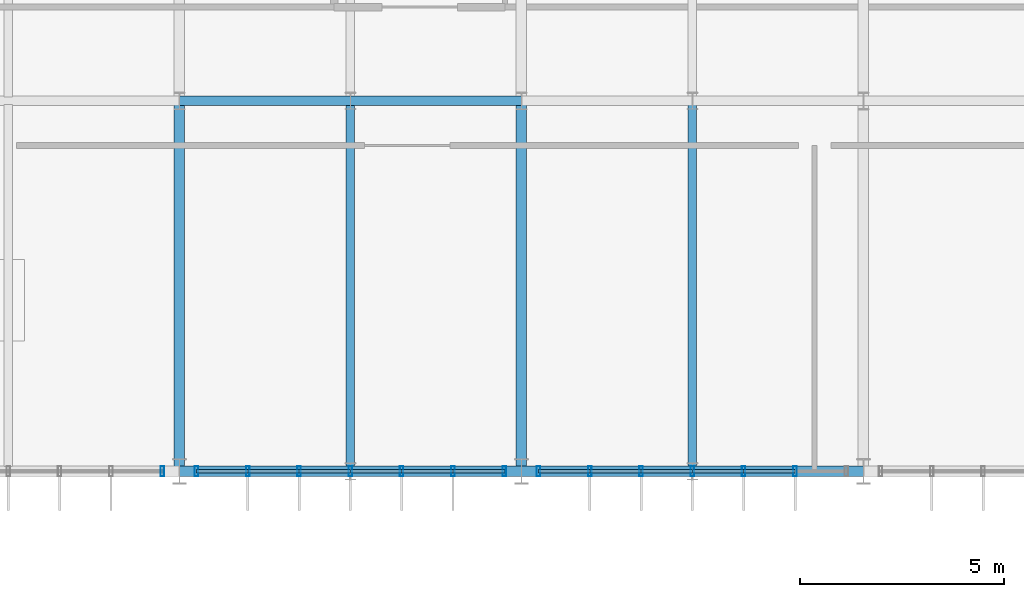
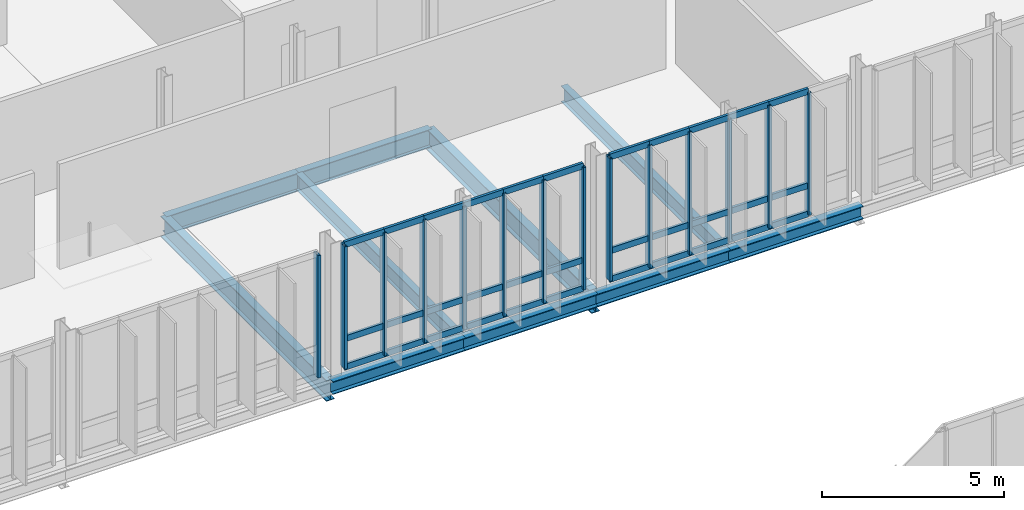
# One storey, part 44 of 139: 47 members, 10 beams, 3 elements without a shape of their own.
"""IFC4 building model written with IfcOpenShell, lengths in metres."""

import ifcopenshell
import ifcopenshell.guid

model = None  # the IFC model being written
_history = None  # IfcOwnerHistory: only IFC2X3 demands one
_inside = {}  # id of a spatial element -> (the spatial element, [elements in it])
_under = {}  # id of a project, library or spatial element -> (it, [spatial elements below it])
_declared = {}  # id of a project -> (the project, [libraries it declares])
_typed = {}  # id of a type object -> (the type object, [elements of that type])
_made_of = {}  # id of a material, layer set ... -> (it, [elements and type objects made of it])


def new_model(schema):
    """Start an empty IFC model of exactly this schema.

    Asked for "IFC4X3", IfcOpenShell would pick the latest addendum, in which some entities
    have other attributes; the version numbers below select the first issue.
    IFC2X3 requires an IfcOwnerHistory on every rooted entity: one is made here for all.
    """
    global model, _history
    if schema == "IFC4X3":
        model = ifcopenshell.file(schema_version=(4, 3, 0, 0))
    else:
        model = ifcopenshell.file(schema=schema)
    _inside.clear()
    _under.clear()
    _declared.clear()
    _typed.clear()
    _made_of.clear()
    _history = None
    if model.schema == "IFC2X3":
        org = make("IfcOrganization", Name="unknown")
        user = make(
            "IfcPersonAndOrganization",
            ThePerson=make("IfcPerson", FamilyName="unknown"),
            TheOrganization=org,
        )
        app = make(
            "IfcApplication",
            ApplicationDeveloper=org,
            Version="unknown",
            ApplicationFullName="unknown",
            ApplicationIdentifier="unknown",
        )
        _history = make(
            "IfcOwnerHistory",
            OwningUser=user,
            OwningApplication=app,
            ChangeAction="ADDED",
            CreationDate=0,
        )
    return model


def make(cls, **values):
    """One entity of the class cls with the attributes given. An attribute that is None is left unset."""
    return model.create_entity(
        cls, **{name: value for name, value in values.items() if value is not None}
    )


def rooted(cls, **values):
    """An entity with a GlobalId (a new one), such as an element, a storey or a relation."""
    return make(cls, GlobalId=ifcopenshell.guid.new(), OwnerHistory=_history, **values)


def si_unit(unit_type, name, prefix=None):
    """IfcSIUnit, for example si_unit("LENGTHUNIT", "METRE", prefix="MILLI")."""
    return make("IfcSIUnit", UnitType=unit_type, Prefix=prefix, Name=name)


def derived_unit(unit_type, elements):
    """IfcDerivedUnit: a product of units, each with its exponent."""
    return make(
        "IfcDerivedUnit",
        Elements=[
            make("IfcDerivedUnitElement", Unit=unit, Exponent=power)
            for unit, power in elements
        ],
        UnitType=unit_type,
    )


def assignment(units):
    """IfcUnitAssignment: the units of a project."""
    return None if units is None else make("IfcUnitAssignment", Units=units)


def point(xyz):
    """IfcCartesianPoint."""
    return None if xyz is None else make("IfcCartesianPoint", Coordinates=xyz)


def direction(xyz):
    """IfcDirection."""
    return None if xyz is None else make("IfcDirection", DirectionRatios=xyz)


def frame(location, z_axis=None, x_axis=None):
    """IfcAxis2Placement3D, a coordinate frame: its origin and axes. An axis left out is left unset."""
    return make(
        "IfcAxis2Placement3D",
        Location=point(location),
        Axis=direction(z_axis),
        RefDirection=direction(x_axis),
    )


def frame_2d(location, x_axis=None):
    """IfcAxis2Placement2D, a coordinate frame in the plane: its origin and x axis."""
    return make(
        "IfcAxis2Placement2D", Location=point(location), RefDirection=direction(x_axis)
    )


def origin():
    """The frame at (0, 0, 0) with its axes left unset."""
    return frame((0.0, 0.0, 0.0))


def origin_2d():
    """The frame at (0, 0) in the plane with its x axis left unset."""
    return frame_2d((0.0, 0.0))


def place(relative_to, where):
    """IfcLocalPlacement: puts the frame where relative to a parent placement (None: the world)."""
    return make(
        "IfcLocalPlacement", PlacementRelTo=relative_to, RelativePlacement=where
    )


def context(
    kind, dimensions, precision=None, world=None, true_north=None, identifier=None
):
    """IfcGeometricRepresentationContext, for example the 3D "Model" context."""
    return make(
        "IfcGeometricRepresentationContext",
        ContextIdentifier=identifier,
        ContextType=kind,
        CoordinateSpaceDimension=dimensions,
        Precision=precision,
        WorldCoordinateSystem=world,
        TrueNorth=true_north,
    )


def subcontext(parent, identifier, kind, view, scale=None):
    """IfcGeometricRepresentationSubContext, for example "Body" below "Model"."""
    return make(
        "IfcGeometricRepresentationSubContext",
        ContextIdentifier=identifier,
        ContextType=kind,
        ParentContext=parent,
        TargetScale=scale,
        TargetView=view,
    )


def project(units=None, contexts=None):
    """IfcProject with its units and contexts."""
    return rooted(
        "IfcProject",
        Name="project",
        RepresentationContexts=contexts,
        UnitsInContext=assignment(units),
    )


def spatial(cls, under=None, at=None, **own):
    """A site, building, storey or space (cls), placed at a placement, below another one or the project."""
    s = rooted(cls, ObjectPlacement=at, **own)
    if under is not None:
        _under.setdefault(under.id(), (under, []))[1].append(s)
    return s


def profile(cls, at=None, kind="AREA", **sizes):
    """A parametric profile (cls). Its sizes go by their IFC names, for example OverallWidth=200.0."""
    return make(cls, ProfileType=kind, Position=at, **sizes)


def hollow_rectangle(**sizes):
    """IfcRectangleHollowProfileDef."""
    return profile("IfcRectangleHollowProfileDef", **sizes)


def i_section(**sizes):
    """IfcIShapeProfileDef."""
    return profile("IfcIShapeProfileDef", **sizes)


def extrude(swept, where, along, depth):
    """IfcExtrudedAreaSolid: the profile swept, set in the frame where, extruded along a direction by depth."""
    return make(
        "IfcExtrudedAreaSolid",
        SweptArea=swept,
        Position=where,
        ExtrudedDirection=direction(along),
        Depth=depth,
    )


def shape(context_of_items, identifier, shape_type, items):
    """IfcShapeRepresentation: the items that make up one representation, for example the "Body"."""
    return make(
        "IfcShapeRepresentation",
        ContextOfItems=context_of_items,
        RepresentationIdentifier=identifier,
        RepresentationType=shape_type,
        Items=items,
    )


def material(Name=None, Category=None):
    """IfcMaterial."""
    return make("IfcMaterial", Name=Name, Category=Category)


def layer(
    of_material, thickness, ventilated=None, Name=None, Category=None, Priority=None
):
    """IfcMaterialLayer: one layer of a wall or slab, of a material (None: an air gap)."""
    return make(
        "IfcMaterialLayer",
        Material=of_material,
        LayerThickness=thickness,
        IsVentilated=ventilated,
        Name=Name,
        Category=Category,
        Priority=Priority,
    )


def layer_set(layers, Name=None):
    """IfcMaterialLayerSet."""
    return make("IfcMaterialLayerSet", MaterialLayers=layers, LayerSetName=Name)


def material_profile(
    of_material, cross_section, Name=None, Category=None, Priority=None
):
    """IfcMaterialProfile: a cross section and its material."""
    return make(
        "IfcMaterialProfile",
        Name=Name,
        Material=of_material,
        Profile=cross_section,
        Priority=Priority,
        Category=Category,
    )


def profile_set(profiles, Name=None, composite=None):
    """IfcMaterialProfileSet."""
    return make(
        "IfcMaterialProfileSet",
        Name=Name,
        MaterialProfiles=profiles,
        CompositeProfile=composite,
    )


def made_of(thing, what):
    """Note that an element or type object is made of a material, layer set ...; save() writes the relation."""
    if what is not None:
        _made_of.setdefault(what.id(), (what, []))[1].append(thing)
    return thing


def type_object(cls, material=None, **own):
    """A type object (cls), such as IfcWallType, which elements share."""
    return made_of(rooted(cls, **own), material)


def element(
    cls,
    number,
    at=None,
    inside=None,
    cuts=None,
    type_object=None,
    material=None,
    context=None,
    identifier="Body",
    shape_type=None,
    held_by="IfcProductDefinitionShape",
    body=None,
    shapes=None,
    **own,
):
    """One element of the class cls, such as IfcWall. Its Tag is "e" and its number.

    at: its placement. inside: the storey or other place that contains it. cuts: it is an
    opening in that element (IfcRelVoidsElement). A single representation is given by context,
    identifier, shape_type and body (its items); several are given by shapes. held_by: the class
    of the entity that holds the representations. save() writes the other relations.
    """
    e = rooted(cls, Tag="e%d" % number, ObjectPlacement=at, **own)
    if body is not None:
        shapes = [shape(context, identifier, shape_type, body)]
    if shapes is not None:
        e.Representation = make(held_by, Representations=shapes)
    if inside is not None:
        _inside.setdefault(inside.id(), (inside, []))[1].append(e)
    if cuts is not None:
        rooted(
            "IfcRelVoidsElement", RelatingBuildingElement=cuts, RelatedOpeningElement=e
        )
    if type_object is not None:
        _typed.setdefault(type_object.id(), (type_object, []))[1].append(e)
    return made_of(e, material)


def aggregate(whole, parts):
    """IfcRelAggregates: a whole, such as a stair, and the parts it consists of."""
    return rooted("IfcRelAggregates", RelatingObject=whole, RelatedObjects=parts)


def save(model, path):
    """Write the relations noted so far, then the file.

    IfcRelAggregates (storeys below a building ...), IfcRelContainedInSpatialStructure (elements
    in a storey), IfcRelDefinesByType, IfcRelAssociatesMaterial and IfcRelDeclares: one each for
    every whole, place, type object, material and project.
    """
    for whole, parts in _under.values():
        aggregate(whole, parts)
    for where, things in _inside.values():
        rooted(
            "IfcRelContainedInSpatialStructure",
            RelatedElements=things,
            RelatingStructure=where,
        )
    for kind, things in _typed.values():
        rooted("IfcRelDefinesByType", RelatedObjects=things, RelatingType=kind)
    for what, things in _made_of.values():
        rooted("IfcRelAssociatesMaterial", RelatedObjects=things, RelatingMaterial=what)
    for by, libraries in _declared.values():
        rooted("IfcRelDeclares", RelatingContext=by, RelatedDefinitions=libraries)
    model.write(path)


model = new_model("IFC4")

# Units and contexts
model_context = context("Model", 3, precision=1e-05, world=origin(), true_north=direction((0.0, 1.0)))
body_context = subcontext(model_context, "Body", "Model", "MODEL_VIEW")
ifc_project = project(units=[si_unit("LENGTHUNIT", "METRE"), si_unit("AREAUNIT", "SQUARE_METRE"), si_unit("VOLUMEUNIT", "CUBIC_METRE"), si_unit("PLANEANGLEUNIT", "RADIAN"), si_unit("MASSUNIT", "GRAM", prefix="KILO"), derived_unit("THERMALTRANSMITTANCEUNIT", [(si_unit("MASSUNIT", "GRAM", prefix="KILO"), 1), (si_unit("TIMEUNIT", "SECOND"), -3), (si_unit("THERMODYNAMICTEMPERATUREUNIT", "KELVIN"), -1)])], contexts=[model_context])

# Site, building, storey
site_placement = place(None, origin())
site = spatial("IfcSite", under=ifc_project, at=site_placement, CompositionType="ELEMENT")
building_placement = place(site_placement, origin())
building = spatial("IfcBuilding", under=site, at=building_placement, Name="Makaiwela Harbour Ferry Terminal", CompositionType="ELEMENT")
storey_placement = place(building_placement, frame((0.0, 0.0, 5.10009765625)))
storey = spatial("IfcBuildingStorey", under=building, at=storey_placement, Name="L01", CompositionType="ELEMENT", Elevation=5.10009765625)

# Curtain wall, member
ifc_material_1 = material(Name="Marine anodised aluminium 6063-T6", Category="aluminium")
ifc_layer = layer(ifc_material_1, 0.199951171875)
ifc_layer_set = layer_set([ifc_layer], Name="Marine anodised aluminium 6063-T6")
curtain_wall_type = type_object("IfcCurtainWallType", Name="ENV-CW-08", PredefinedType="USERDEFINED", material=ifc_layer_set)
curtain_wall_1_placement = place(storey_placement, origin())
curtain_wall_1 = element("IfcCurtainWall", 1, at=curtain_wall_1_placement, inside=storey, type_object=curtain_wall_type, Name="Unitised Curtain Wall CWA-080", ObjectType="UNITIZED CURTAIN WALL", PredefinedType="USERDEFINED")
ifc_material_profile_1 = material_profile(ifc_material_1, hollow_rectangle(XDim=0.0849609375, YDim=0.25, WallThickness=0.0048828125, at=origin_2d()), Name="CWM-250X85")
ifc_profile_set_1 = profile_set([ifc_material_profile_1], Name="Marine anodised aluminium 6063-T6")
member_type_1 = type_object("IfcMemberType", Name="CW-MUL-250", PredefinedType="MULLION", material=ifc_profile_set_1)
member_1_placement = place(storey_placement, frame((96.179931640625, 49.39990234375, 0.0), z_axis=(0.0, 0.0, 1.0), x_axis=(1.0, 0.0, 0.0)))
member_1 = element("IfcMember", 2, at=member_1_placement, type_object=member_type_1, Name="Curtain Wall Mullion CWA-080-1", PredefinedType="MULLION", context=body_context, shape_type="SweptSolid", body=[
    extrude(hollow_rectangle(XDim=0.0849609375, YDim=0.25, WallThickness=0.0048828125, at=origin_2d()), origin(), (0.0, 0.0, 1.0), 4.099853515625),
])
aggregate(curtain_wall_1, [member_1])

# Curtain wall, members
curtain_wall_2_placement = place(storey_placement, origin())
curtain_wall_2 = element("IfcCurtainWall", 3, at=curtain_wall_2_placement, inside=storey, type_object=curtain_wall_type, Name="Unitised Curtain Wall CWA-082", ObjectType="UNITIZED CURTAIN WALL", PredefinedType="USERDEFINED")
member_2_placement = place(storey_placement, frame((104.580078125, 49.39990234375, 0.0), z_axis=(0.0, 0.0, 1.0), x_axis=(1.0, 0.0, 0.0)))
member_2 = element("IfcMember", 4, at=member_2_placement, type_object=member_type_1, Name="Curtain Wall Mullion CWA-082-1", PredefinedType="MULLION", context=body_context, shape_type="SweptSolid", body=[
    extrude(hollow_rectangle(XDim=0.0849609375, YDim=0.25, WallThickness=0.0048828125, at=origin_2d()), origin(), (0.0, 0.0, 1.0), 4.099853515625),
])
member_3_placement = place(storey_placement, frame((103.320068359375, 49.39990234375, 0.0), z_axis=(0.0, 0.0, 1.0), x_axis=(1.0, 0.0, 0.0)))
member_3 = element("IfcMember", 5, at=member_3_placement, type_object=member_type_1, Name="Curtain Wall Mullion CWA-082-2", PredefinedType="MULLION", context=body_context, shape_type="SweptSolid", body=[
    extrude(hollow_rectangle(XDim=0.0849609375, YDim=0.25, WallThickness=0.0048828125, at=origin_2d()), origin(), (0.0, 0.0, 1.0), 4.099853515625),
])
member_4_placement = place(storey_placement, frame((102.06005859375, 49.39990234375, 0.0), z_axis=(0.0, 0.0, 1.0), x_axis=(1.0, 0.0, 0.0)))
member_4 = element("IfcMember", 6, at=member_4_placement, type_object=member_type_1, Name="Curtain Wall Mullion CWA-082-3", PredefinedType="MULLION", context=body_context, shape_type="SweptSolid", body=[
    extrude(hollow_rectangle(XDim=0.0849609375, YDim=0.25, WallThickness=0.0048828125, at=origin_2d()), origin(), (0.0, 0.0, 1.0), 4.099853515625),
])
member_5_placement = place(storey_placement, frame((100.800048828125, 49.39990234375, 0.0), z_axis=(0.0, 0.0, 1.0), x_axis=(1.0, 0.0, 0.0)))
member_5 = element("IfcMember", 7, at=member_5_placement, type_object=member_type_1, Name="Curtain Wall Mullion CWA-082-4", PredefinedType="MULLION", context=body_context, shape_type="SweptSolid", body=[
    extrude(hollow_rectangle(XDim=0.0849609375, YDim=0.25, WallThickness=0.0048828125, at=origin_2d()), origin(), (0.0, 0.0, 1.0), 4.099853515625),
])
member_6_placement = place(storey_placement, frame((99.5400390625, 49.39990234375, 0.0), z_axis=(0.0, 0.0, 1.0), x_axis=(1.0, 0.0, 0.0)))
member_6 = element("IfcMember", 8, at=member_6_placement, type_object=member_type_1, Name="Curtain Wall Mullion CWA-082-5", PredefinedType="MULLION", context=body_context, shape_type="SweptSolid", body=[
    extrude(hollow_rectangle(XDim=0.0849609375, YDim=0.25, WallThickness=0.0048828125, at=origin_2d()), origin(), (0.0, 0.0, 1.0), 4.099853515625),
])
member_7_placement = place(storey_placement, frame((98.280029296875, 49.39990234375, 0.0), z_axis=(0.0, 0.0, 1.0), x_axis=(1.0, 0.0, 0.0)))
member_7 = element("IfcMember", 9, at=member_7_placement, type_object=member_type_1, Name="Curtain Wall Mullion CWA-082-6", PredefinedType="MULLION", context=body_context, shape_type="SweptSolid", body=[
    extrude(hollow_rectangle(XDim=0.0849609375, YDim=0.25, WallThickness=0.0048828125, at=origin_2d()), origin(), (0.0, 0.0, 1.0), 4.099853515625),
])
member_8_placement = place(storey_placement, frame((97.02001953125, 49.39990234375, 0.0), z_axis=(0.0, 0.0, 1.0), x_axis=(1.0, 0.0, 0.0)))
member_8 = element("IfcMember", 10, at=member_8_placement, type_object=member_type_1, Name="Curtain Wall Mullion CWA-082-7", PredefinedType="MULLION", context=body_context, shape_type="SweptSolid", body=[
    extrude(hollow_rectangle(XDim=0.0849609375, YDim=0.25, WallThickness=0.0048828125, at=origin_2d()), origin(), (0.0, 0.0, 1.0), 4.099853515625),
])

curtain_wall_3_placement = place(storey_placement, origin())
curtain_wall_3 = element("IfcCurtainWall", 11, at=curtain_wall_3_placement, inside=storey, type_object=curtain_wall_type, Name="Unitised Curtain Wall CWA-085", ObjectType="UNITIZED CURTAIN WALL", PredefinedType="USERDEFINED")
member_9_placement = place(storey_placement, frame((111.719970703125, 49.39990234375, 0.0), z_axis=(0.0, 0.0, 1.0), x_axis=(1.0, 0.0, 0.0)))
member_9 = element("IfcMember", 12, at=member_9_placement, type_object=member_type_1, Name="Curtain Wall Mullion CWA-085-2", PredefinedType="MULLION", context=body_context, shape_type="SweptSolid", body=[
    extrude(hollow_rectangle(XDim=0.0849609375, YDim=0.25, WallThickness=0.0048828125, at=origin_2d()), origin(), (0.0, 0.0, 1.0), 4.099853515625),
])
member_10_placement = place(storey_placement, frame((110.4599609375, 49.39990234375, 0.0), z_axis=(0.0, 0.0, 1.0), x_axis=(1.0, 0.0, 0.0)))
member_10 = element("IfcMember", 13, at=member_10_placement, type_object=member_type_1, Name="Curtain Wall Mullion CWA-085-3", PredefinedType="MULLION", context=body_context, shape_type="SweptSolid", body=[
    extrude(hollow_rectangle(XDim=0.0849609375, YDim=0.25, WallThickness=0.0048828125, at=origin_2d()), origin(), (0.0, 0.0, 1.0), 4.099853515625),
])
member_11_placement = place(storey_placement, frame((109.199951171875, 49.39990234375, 0.0), z_axis=(0.0, 0.0, 1.0), x_axis=(1.0, 0.0, 0.0)))
member_11 = element("IfcMember", 14, at=member_11_placement, type_object=member_type_1, Name="Curtain Wall Mullion CWA-085-4", PredefinedType="MULLION", context=body_context, shape_type="SweptSolid", body=[
    extrude(hollow_rectangle(XDim=0.0849609375, YDim=0.25, WallThickness=0.0048828125, at=origin_2d()), origin(), (0.0, 0.0, 1.0), 4.099853515625),
])
member_12_placement = place(storey_placement, frame((107.93994140625, 49.39990234375, 0.0), z_axis=(0.0, 0.0, 1.0), x_axis=(1.0, 0.0, 0.0)))
member_12 = element("IfcMember", 15, at=member_12_placement, type_object=member_type_1, Name="Curtain Wall Mullion CWA-085-5", PredefinedType="MULLION", context=body_context, shape_type="SweptSolid", body=[
    extrude(hollow_rectangle(XDim=0.0849609375, YDim=0.25, WallThickness=0.0048828125, at=origin_2d()), origin(), (0.0, 0.0, 1.0), 4.099853515625),
])
member_13_placement = place(storey_placement, frame((106.679931640625, 49.39990234375, 0.0), z_axis=(0.0, 0.0, 1.0), x_axis=(1.0, 0.0, 0.0)))
member_13 = element("IfcMember", 16, at=member_13_placement, type_object=member_type_1, Name="Curtain Wall Mullion CWA-085-6", PredefinedType="MULLION", context=body_context, shape_type="SweptSolid", body=[
    extrude(hollow_rectangle(XDim=0.0849609375, YDim=0.25, WallThickness=0.0048828125, at=origin_2d()), origin(), (0.0, 0.0, 1.0), 4.099853515625),
])
member_14_placement = place(storey_placement, frame((105.419921875, 49.39990234375, 0.0), z_axis=(0.0, 0.0, 1.0), x_axis=(1.0, 0.0, 0.0)))
member_14 = element("IfcMember", 17, at=member_14_placement, type_object=member_type_1, Name="Curtain Wall Mullion CWA-085-7", PredefinedType="MULLION", context=body_context, shape_type="SweptSolid", body=[
    extrude(hollow_rectangle(XDim=0.0849609375, YDim=0.25, WallThickness=0.0048828125, at=origin_2d()), origin(), (0.0, 0.0, 1.0), 4.099853515625),
])

# Member
ifc_material_profile_2 = material_profile(ifc_material_1, hollow_rectangle(XDim=0.0849609375, YDim=0.199951171875, WallThickness=0.0048828125, at=origin_2d()), Name="CWT-200X85")
ifc_profile_set_2 = profile_set([ifc_material_profile_2], Name="Marine anodised aluminium 6063-T6")
member_type_2 = type_object("IfcMemberType", Name="CW-TRN-200", PredefinedType="USERDEFINED", material=ifc_profile_set_2)
member_15_placement = place(storey_placement, frame((104.580078125, 49.39990234375, 0.0), z_axis=(-1.0, 0.0, 0.0), x_axis=(0.0, -1.0, 0.0)))
member_15 = element("IfcMember", 18, at=member_15_placement, type_object=member_type_2, Name="Curtain Wall Transom CWA-082-1-1", ObjectType="TRANSOM", PredefinedType="USERDEFINED", context=body_context, shape_type="SweptSolid", body=[
    extrude(hollow_rectangle(XDim=0.0849609375, YDim=0.199951171875, WallThickness=0.0048828125, at=origin_2d()), origin(), (0.0, 0.0, 1.0), 1.260009765625),
])

member_16_placement = place(storey_placement, frame((104.580078125, 49.39990234375, 0.949951171875), z_axis=(-1.0, 0.0, 0.0), x_axis=(0.0, -1.0, 0.0)))
member_16 = element("IfcMember", 19, at=member_16_placement, type_object=member_type_2, Name="Curtain Wall Transom CWA-082-1-2", ObjectType="TRANSOM", PredefinedType="USERDEFINED", context=body_context, shape_type="SweptSolid", body=[
    extrude(hollow_rectangle(XDim=0.0849609375, YDim=0.199951171875, WallThickness=0.0048828125, at=origin_2d()), origin(), (0.0, 0.0, 1.0), 1.260009765625),
])

member_17_placement = place(storey_placement, frame((104.580078125, 49.39990234375, 4.099853515625), z_axis=(-1.0, 0.0, 0.0), x_axis=(0.0, -1.0, 0.0)))
member_17 = element("IfcMember", 20, at=member_17_placement, type_object=member_type_2, Name="Curtain Wall Transom CWA-082-1-3", ObjectType="TRANSOM", PredefinedType="USERDEFINED", context=body_context, shape_type="SweptSolid", body=[
    extrude(hollow_rectangle(XDim=0.0849609375, YDim=0.199951171875, WallThickness=0.0048828125, at=origin_2d()), origin(), (0.0, 0.0, 1.0), 1.260009765625),
])

member_18_placement = place(storey_placement, frame((103.320068359375, 49.39990234375, 0.0), z_axis=(-1.0, 0.0, 0.0), x_axis=(0.0, -1.0, 0.0)))
member_18 = element("IfcMember", 21, at=member_18_placement, type_object=member_type_2, Name="Curtain Wall Transom CWA-082-2-1", ObjectType="TRANSOM", PredefinedType="USERDEFINED", context=body_context, shape_type="SweptSolid", body=[
    extrude(hollow_rectangle(XDim=0.0849609375, YDim=0.199951171875, WallThickness=0.0048828125, at=origin_2d()), origin(), (0.0, 0.0, 1.0), 1.260009765625),
])

member_19_placement = place(storey_placement, frame((103.320068359375, 49.39990234375, 0.949951171875), z_axis=(-1.0, 0.0, 0.0), x_axis=(0.0, -1.0, 0.0)))
member_19 = element("IfcMember", 22, at=member_19_placement, type_object=member_type_2, Name="Curtain Wall Transom CWA-082-2-2", ObjectType="TRANSOM", PredefinedType="USERDEFINED", context=body_context, shape_type="SweptSolid", body=[
    extrude(hollow_rectangle(XDim=0.0849609375, YDim=0.199951171875, WallThickness=0.0048828125, at=origin_2d()), origin(), (0.0, 0.0, 1.0), 1.260009765625),
])

member_20_placement = place(storey_placement, frame((103.320068359375, 49.39990234375, 4.099853515625), z_axis=(-1.0, 0.0, 0.0), x_axis=(0.0, -1.0, 0.0)))
member_20 = element("IfcMember", 23, at=member_20_placement, type_object=member_type_2, Name="Curtain Wall Transom CWA-082-2-3", ObjectType="TRANSOM", PredefinedType="USERDEFINED", context=body_context, shape_type="SweptSolid", body=[
    extrude(hollow_rectangle(XDim=0.0849609375, YDim=0.199951171875, WallThickness=0.0048828125, at=origin_2d()), origin(), (0.0, 0.0, 1.0), 1.260009765625),
])

member_21_placement = place(storey_placement, frame((102.06005859375, 49.39990234375, 0.0), z_axis=(-1.0, 0.0, 0.0), x_axis=(0.0, -1.0, 0.0)))
member_21 = element("IfcMember", 24, at=member_21_placement, type_object=member_type_2, Name="Curtain Wall Transom CWA-082-3-1", ObjectType="TRANSOM", PredefinedType="USERDEFINED", context=body_context, shape_type="SweptSolid", body=[
    extrude(hollow_rectangle(XDim=0.0849609375, YDim=0.199951171875, WallThickness=0.0048828125, at=origin_2d()), origin(), (0.0, 0.0, 1.0), 1.260009765625),
])

member_22_placement = place(storey_placement, frame((102.06005859375, 49.39990234375, 0.949951171875), z_axis=(-1.0, 0.0, 0.0), x_axis=(0.0, -1.0, 0.0)))
member_22 = element("IfcMember", 25, at=member_22_placement, type_object=member_type_2, Name="Curtain Wall Transom CWA-082-3-2", ObjectType="TRANSOM", PredefinedType="USERDEFINED", context=body_context, shape_type="SweptSolid", body=[
    extrude(hollow_rectangle(XDim=0.0849609375, YDim=0.199951171875, WallThickness=0.0048828125, at=origin_2d()), origin(), (0.0, 0.0, 1.0), 1.260009765625),
])

member_23_placement = place(storey_placement, frame((102.06005859375, 49.39990234375, 4.099853515625), z_axis=(-1.0, 0.0, 0.0), x_axis=(0.0, -1.0, 0.0)))
member_23 = element("IfcMember", 26, at=member_23_placement, type_object=member_type_2, Name="Curtain Wall Transom CWA-082-3-3", ObjectType="TRANSOM", PredefinedType="USERDEFINED", context=body_context, shape_type="SweptSolid", body=[
    extrude(hollow_rectangle(XDim=0.0849609375, YDim=0.199951171875, WallThickness=0.0048828125, at=origin_2d()), origin(), (0.0, 0.0, 1.0), 1.260009765625),
])

member_24_placement = place(storey_placement, frame((100.800048828125, 49.39990234375, 0.0), z_axis=(-1.0, 0.0, 0.0), x_axis=(0.0, -1.0, 0.0)))
member_24 = element("IfcMember", 27, at=member_24_placement, type_object=member_type_2, Name="Curtain Wall Transom CWA-082-4-1", ObjectType="TRANSOM", PredefinedType="USERDEFINED", context=body_context, shape_type="SweptSolid", body=[
    extrude(hollow_rectangle(XDim=0.0849609375, YDim=0.199951171875, WallThickness=0.0048828125, at=origin_2d()), origin(), (0.0, 0.0, 1.0), 1.260009765625),
])

member_25_placement = place(storey_placement, frame((100.800048828125, 49.39990234375, 0.949951171875), z_axis=(-1.0, 0.0, 0.0), x_axis=(0.0, -1.0, 0.0)))
member_25 = element("IfcMember", 28, at=member_25_placement, type_object=member_type_2, Name="Curtain Wall Transom CWA-082-4-2", ObjectType="TRANSOM", PredefinedType="USERDEFINED", context=body_context, shape_type="SweptSolid", body=[
    extrude(hollow_rectangle(XDim=0.0849609375, YDim=0.199951171875, WallThickness=0.0048828125, at=origin_2d()), origin(), (0.0, 0.0, 1.0), 1.260009765625),
])

member_26_placement = place(storey_placement, frame((100.800048828125, 49.39990234375, 4.099853515625), z_axis=(-1.0, 0.0, 0.0), x_axis=(0.0, -1.0, 0.0)))
member_26 = element("IfcMember", 29, at=member_26_placement, type_object=member_type_2, Name="Curtain Wall Transom CWA-082-4-3", ObjectType="TRANSOM", PredefinedType="USERDEFINED", context=body_context, shape_type="SweptSolid", body=[
    extrude(hollow_rectangle(XDim=0.0849609375, YDim=0.199951171875, WallThickness=0.0048828125, at=origin_2d()), origin(), (0.0, 0.0, 1.0), 1.260009765625),
])

member_27_placement = place(storey_placement, frame((99.5400390625, 49.39990234375, 0.0), z_axis=(-1.0, 0.0, 0.0), x_axis=(0.0, -1.0, 0.0)))
member_27 = element("IfcMember", 30, at=member_27_placement, type_object=member_type_2, Name="Curtain Wall Transom CWA-082-5-1", ObjectType="TRANSOM", PredefinedType="USERDEFINED", context=body_context, shape_type="SweptSolid", body=[
    extrude(hollow_rectangle(XDim=0.0849609375, YDim=0.199951171875, WallThickness=0.0048828125, at=origin_2d()), origin(), (0.0, 0.0, 1.0), 1.260009765625),
])

member_28_placement = place(storey_placement, frame((99.5400390625, 49.39990234375, 0.949951171875), z_axis=(-1.0, 0.0, 0.0), x_axis=(0.0, -1.0, 0.0)))
member_28 = element("IfcMember", 31, at=member_28_placement, type_object=member_type_2, Name="Curtain Wall Transom CWA-082-5-2", ObjectType="TRANSOM", PredefinedType="USERDEFINED", context=body_context, shape_type="SweptSolid", body=[
    extrude(hollow_rectangle(XDim=0.0849609375, YDim=0.199951171875, WallThickness=0.0048828125, at=origin_2d()), origin(), (0.0, 0.0, 1.0), 1.260009765625),
])

member_29_placement = place(storey_placement, frame((99.5400390625, 49.39990234375, 4.099853515625), z_axis=(-1.0, 0.0, 0.0), x_axis=(0.0, -1.0, 0.0)))
member_29 = element("IfcMember", 32, at=member_29_placement, type_object=member_type_2, Name="Curtain Wall Transom CWA-082-5-3", ObjectType="TRANSOM", PredefinedType="USERDEFINED", context=body_context, shape_type="SweptSolid", body=[
    extrude(hollow_rectangle(XDim=0.0849609375, YDim=0.199951171875, WallThickness=0.0048828125, at=origin_2d()), origin(), (0.0, 0.0, 1.0), 1.260009765625),
])

member_30_placement = place(storey_placement, frame((98.280029296875, 49.39990234375, 0.0), z_axis=(-1.0, 0.0, 0.0), x_axis=(0.0, -1.0, 0.0)))
member_30 = element("IfcMember", 33, at=member_30_placement, type_object=member_type_2, Name="Curtain Wall Transom CWA-082-6-1", ObjectType="TRANSOM", PredefinedType="USERDEFINED", context=body_context, shape_type="SweptSolid", body=[
    extrude(hollow_rectangle(XDim=0.0849609375, YDim=0.199951171875, WallThickness=0.0048828125, at=origin_2d()), origin(), (0.0, 0.0, 1.0), 1.260009765625),
])

member_31_placement = place(storey_placement, frame((98.280029296875, 49.39990234375, 0.949951171875), z_axis=(-1.0, 0.0, 0.0), x_axis=(0.0, -1.0, 0.0)))
member_31 = element("IfcMember", 34, at=member_31_placement, type_object=member_type_2, Name="Curtain Wall Transom CWA-082-6-2", ObjectType="TRANSOM", PredefinedType="USERDEFINED", context=body_context, shape_type="SweptSolid", body=[
    extrude(hollow_rectangle(XDim=0.0849609375, YDim=0.199951171875, WallThickness=0.0048828125, at=origin_2d()), origin(), (0.0, 0.0, 1.0), 1.260009765625),
])

member_32_placement = place(storey_placement, frame((98.280029296875, 49.39990234375, 4.099853515625), z_axis=(-1.0, 0.0, 0.0), x_axis=(0.0, -1.0, 0.0)))
member_32 = element("IfcMember", 35, at=member_32_placement, type_object=member_type_2, Name="Curtain Wall Transom CWA-082-6-3", ObjectType="TRANSOM", PredefinedType="USERDEFINED", context=body_context, shape_type="SweptSolid", body=[
    extrude(hollow_rectangle(XDim=0.0849609375, YDim=0.199951171875, WallThickness=0.0048828125, at=origin_2d()), origin(), (0.0, 0.0, 1.0), 1.260009765625),
])

aggregate(curtain_wall_2, [member_2, member_3, member_4, member_5, member_6, member_7, member_8, member_15, member_16, member_17, member_18, member_19, member_20, member_21, member_22, member_23, member_24, member_25, member_26, member_27, member_28, member_29, member_30, member_31, member_32])

member_33_placement = place(storey_placement, frame((111.719970703125, 49.39990234375, 0.0), z_axis=(-1.0, 0.0, 0.0), x_axis=(0.0, -1.0, 0.0)))
member_33 = element("IfcMember", 36, at=member_33_placement, type_object=member_type_2, Name="Curtain Wall Transom CWA-085-2-1", ObjectType="TRANSOM", PredefinedType="USERDEFINED", context=body_context, shape_type="SweptSolid", body=[
    extrude(hollow_rectangle(XDim=0.0849609375, YDim=0.199951171875, WallThickness=0.0048828125, at=origin_2d()), origin(), (0.0, 0.0, 1.0), 1.260009765625),
])

member_34_placement = place(storey_placement, frame((111.719970703125, 49.39990234375, 0.949951171875), z_axis=(-1.0, 0.0, 0.0), x_axis=(0.0, -1.0, 0.0)))
member_34 = element("IfcMember", 37, at=member_34_placement, type_object=member_type_2, Name="Curtain Wall Transom CWA-085-2-2", ObjectType="TRANSOM", PredefinedType="USERDEFINED", context=body_context, shape_type="SweptSolid", body=[
    extrude(hollow_rectangle(XDim=0.0849609375, YDim=0.199951171875, WallThickness=0.0048828125, at=origin_2d()), origin(), (0.0, 0.0, 1.0), 1.260009765625),
])

member_35_placement = place(storey_placement, frame((111.719970703125, 49.39990234375, 4.099853515625), z_axis=(-1.0, 0.0, 0.0), x_axis=(0.0, -1.0, 0.0)))
member_35 = element("IfcMember", 38, at=member_35_placement, type_object=member_type_2, Name="Curtain Wall Transom CWA-085-2-3", ObjectType="TRANSOM", PredefinedType="USERDEFINED", context=body_context, shape_type="SweptSolid", body=[
    extrude(hollow_rectangle(XDim=0.0849609375, YDim=0.199951171875, WallThickness=0.0048828125, at=origin_2d()), origin(), (0.0, 0.0, 1.0), 1.260009765625),
])

member_36_placement = place(storey_placement, frame((110.4599609375, 49.39990234375, 0.0), z_axis=(-1.0, 0.0, 0.0), x_axis=(0.0, -1.0, 0.0)))
member_36 = element("IfcMember", 39, at=member_36_placement, type_object=member_type_2, Name="Curtain Wall Transom CWA-085-3-1", ObjectType="TRANSOM", PredefinedType="USERDEFINED", context=body_context, shape_type="SweptSolid", body=[
    extrude(hollow_rectangle(XDim=0.0849609375, YDim=0.199951171875, WallThickness=0.0048828125, at=origin_2d()), origin(), (0.0, 0.0, 1.0), 1.260009765625),
])

member_37_placement = place(storey_placement, frame((110.4599609375, 49.39990234375, 0.949951171875), z_axis=(-1.0, 0.0, 0.0), x_axis=(0.0, -1.0, 0.0)))
member_37 = element("IfcMember", 40, at=member_37_placement, type_object=member_type_2, Name="Curtain Wall Transom CWA-085-3-2", ObjectType="TRANSOM", PredefinedType="USERDEFINED", context=body_context, shape_type="SweptSolid", body=[
    extrude(hollow_rectangle(XDim=0.0849609375, YDim=0.199951171875, WallThickness=0.0048828125, at=origin_2d()), origin(), (0.0, 0.0, 1.0), 1.260009765625),
])

member_38_placement = place(storey_placement, frame((110.4599609375, 49.39990234375, 4.099853515625), z_axis=(-1.0, 0.0, 0.0), x_axis=(0.0, -1.0, 0.0)))
member_38 = element("IfcMember", 41, at=member_38_placement, type_object=member_type_2, Name="Curtain Wall Transom CWA-085-3-3", ObjectType="TRANSOM", PredefinedType="USERDEFINED", context=body_context, shape_type="SweptSolid", body=[
    extrude(hollow_rectangle(XDim=0.0849609375, YDim=0.199951171875, WallThickness=0.0048828125, at=origin_2d()), origin(), (0.0, 0.0, 1.0), 1.260009765625),
])

member_39_placement = place(storey_placement, frame((109.199951171875, 49.39990234375, 0.0), z_axis=(-1.0, 0.0, 0.0), x_axis=(0.0, -1.0, 0.0)))
member_39 = element("IfcMember", 42, at=member_39_placement, type_object=member_type_2, Name="Curtain Wall Transom CWA-085-4-1", ObjectType="TRANSOM", PredefinedType="USERDEFINED", context=body_context, shape_type="SweptSolid", body=[
    extrude(hollow_rectangle(XDim=0.0849609375, YDim=0.199951171875, WallThickness=0.0048828125, at=origin_2d()), origin(), (0.0, 0.0, 1.0), 1.260009765625),
])

member_40_placement = place(storey_placement, frame((109.199951171875, 49.39990234375, 0.949951171875), z_axis=(-1.0, 0.0, 0.0), x_axis=(0.0, -1.0, 0.0)))
member_40 = element("IfcMember", 43, at=member_40_placement, type_object=member_type_2, Name="Curtain Wall Transom CWA-085-4-2", ObjectType="TRANSOM", PredefinedType="USERDEFINED", context=body_context, shape_type="SweptSolid", body=[
    extrude(hollow_rectangle(XDim=0.0849609375, YDim=0.199951171875, WallThickness=0.0048828125, at=origin_2d()), origin(), (0.0, 0.0, 1.0), 1.260009765625),
])

member_41_placement = place(storey_placement, frame((109.199951171875, 49.39990234375, 4.099853515625), z_axis=(-1.0, 0.0, 0.0), x_axis=(0.0, -1.0, 0.0)))
member_41 = element("IfcMember", 44, at=member_41_placement, type_object=member_type_2, Name="Curtain Wall Transom CWA-085-4-3", ObjectType="TRANSOM", PredefinedType="USERDEFINED", context=body_context, shape_type="SweptSolid", body=[
    extrude(hollow_rectangle(XDim=0.0849609375, YDim=0.199951171875, WallThickness=0.0048828125, at=origin_2d()), origin(), (0.0, 0.0, 1.0), 1.260009765625),
])

member_42_placement = place(storey_placement, frame((107.93994140625, 49.39990234375, 0.0), z_axis=(-1.0, 0.0, 0.0), x_axis=(0.0, -1.0, 0.0)))
member_42 = element("IfcMember", 45, at=member_42_placement, type_object=member_type_2, Name="Curtain Wall Transom CWA-085-5-1", ObjectType="TRANSOM", PredefinedType="USERDEFINED", context=body_context, shape_type="SweptSolid", body=[
    extrude(hollow_rectangle(XDim=0.0849609375, YDim=0.199951171875, WallThickness=0.0048828125, at=origin_2d()), origin(), (0.0, 0.0, 1.0), 1.260009765625),
])

member_43_placement = place(storey_placement, frame((107.93994140625, 49.39990234375, 0.949951171875), z_axis=(-1.0, 0.0, 0.0), x_axis=(0.0, -1.0, 0.0)))
member_43 = element("IfcMember", 46, at=member_43_placement, type_object=member_type_2, Name="Curtain Wall Transom CWA-085-5-2", ObjectType="TRANSOM", PredefinedType="USERDEFINED", context=body_context, shape_type="SweptSolid", body=[
    extrude(hollow_rectangle(XDim=0.0849609375, YDim=0.199951171875, WallThickness=0.0048828125, at=origin_2d()), origin(), (0.0, 0.0, 1.0), 1.260009765625),
])

member_44_placement = place(storey_placement, frame((107.93994140625, 49.39990234375, 4.099853515625), z_axis=(-1.0, 0.0, 0.0), x_axis=(0.0, -1.0, 0.0)))
member_44 = element("IfcMember", 47, at=member_44_placement, type_object=member_type_2, Name="Curtain Wall Transom CWA-085-5-3", ObjectType="TRANSOM", PredefinedType="USERDEFINED", context=body_context, shape_type="SweptSolid", body=[
    extrude(hollow_rectangle(XDim=0.0849609375, YDim=0.199951171875, WallThickness=0.0048828125, at=origin_2d()), origin(), (0.0, 0.0, 1.0), 1.260009765625),
])

member_45_placement = place(storey_placement, frame((106.679931640625, 49.39990234375, 0.0), z_axis=(-1.0, 0.0, 0.0), x_axis=(0.0, -1.0, 0.0)))
member_45 = element("IfcMember", 48, at=member_45_placement, type_object=member_type_2, Name="Curtain Wall Transom CWA-085-6-1", ObjectType="TRANSOM", PredefinedType="USERDEFINED", context=body_context, shape_type="SweptSolid", body=[
    extrude(hollow_rectangle(XDim=0.0849609375, YDim=0.199951171875, WallThickness=0.0048828125, at=origin_2d()), origin(), (0.0, 0.0, 1.0), 1.260009765625),
])

member_46_placement = place(storey_placement, frame((106.679931640625, 49.39990234375, 0.949951171875), z_axis=(-1.0, 0.0, 0.0), x_axis=(0.0, -1.0, 0.0)))
member_46 = element("IfcMember", 49, at=member_46_placement, type_object=member_type_2, Name="Curtain Wall Transom CWA-085-6-2", ObjectType="TRANSOM", PredefinedType="USERDEFINED", context=body_context, shape_type="SweptSolid", body=[
    extrude(hollow_rectangle(XDim=0.0849609375, YDim=0.199951171875, WallThickness=0.0048828125, at=origin_2d()), origin(), (0.0, 0.0, 1.0), 1.260009765625),
])

member_47_placement = place(storey_placement, frame((106.679931640625, 49.39990234375, 4.099853515625), z_axis=(-1.0, 0.0, 0.0), x_axis=(0.0, -1.0, 0.0)))
member_47 = element("IfcMember", 50, at=member_47_placement, type_object=member_type_2, Name="Curtain Wall Transom CWA-085-6-3", ObjectType="TRANSOM", PredefinedType="USERDEFINED", context=body_context, shape_type="SweptSolid", body=[
    extrude(hollow_rectangle(XDim=0.0849609375, YDim=0.199951171875, WallThickness=0.0048828125, at=origin_2d()), origin(), (0.0, 0.0, 1.0), 1.260009765625),
])

aggregate(curtain_wall_3, [member_9, member_10, member_11, member_12, member_13, member_14, member_33, member_34, member_35, member_36, member_37, member_38, member_39, member_40, member_41, member_42, member_43, member_44, member_45, member_46, member_47])

# Beams
ifc_material_2 = material(Name="Steel ASTM A992 Grade 50", Category="steel")
ifc_material_profile_3 = material_profile(ifc_material_2, i_section(OverallWidth=0.2099609375, OverallDepth=0.537109375, WebThickness=0.010986328125, FlangeThickness=0.017333984375, at=origin_2d()), Name="W21X68")
ifc_profile_set_3 = profile_set([ifc_material_profile_3], Name="Steel ASTM A992 Grade 50")
beam_type_1 = type_object("IfcBeamType", Name="STR-BM-W21X68", PredefinedType="BEAM", material=ifc_profile_set_3)
for number, where, z_axis, x_axis, name in (
    (51, (100.800048828125, 49.514404296875, -0.548583984375), (0.0, 1.0, 0.0), (-1.0, 0.0, 0.0), "Secondary floor beam 1114"),
    (52, (109.199951171875, 49.514404296875, -0.548583984375), (0.0, 1.0, 0.0), (-1.0, 0.0, 0.0), "Secondary floor beam 1122"),
):
    element("IfcBeam", number, at=place(storey_placement, frame(where, z_axis=z_axis, x_axis=x_axis)), inside=storey, type_object=beam_type_1, Name=name, PredefinedType="BEAM", context=body_context, shape_type="SweptSolid", body=[
        extrude(i_section(OverallWidth=0.2099609375, OverallDepth=0.537109375, WebThickness=0.010986328125, FlangeThickness=0.017333984375, at=origin_2d()), origin(), (0.0, 0.0, 1.0), 8.88916015625),
    ])
ifc_material_profile_4 = material_profile(ifc_material_2, i_section(OverallWidth=0.22900390625, OverallDepth=0.612060546875, WebThickness=0.011962890625, FlangeThickness=0.01953125, at=origin_2d()), Name="W24X84")
ifc_profile_set_4 = profile_set([ifc_material_profile_4], Name="Steel ASTM A992 Grade 50")
beam_type_2 = type_object("IfcBeamType", Name="STR-GRD-W24X84", PredefinedType="USERDEFINED", material=ifc_profile_set_4)
for number, where, z_axis, x_axis, name in (
    (53, (96.60009765625, 58.5, -0.586181640625), (1.0, 0.0, 0.0), (0.0, 1.0, 0.0), "Primary X girder 834"),
    (54, (100.800048828125, 58.5, -0.586181640625), (1.0, 0.0, 0.0), (0.0, 1.0, 0.0), "Primary X girder 835"),
):
    element("IfcBeam", number, at=place(storey_placement, frame(where, z_axis=z_axis, x_axis=x_axis)), inside=storey, type_object=beam_type_2, Name=name, ObjectType="GIRDER", PredefinedType="USERDEFINED", context=body_context, shape_type="SweptSolid", body=[
        extrude(i_section(OverallWidth=0.22900390625, OverallDepth=0.612060546875, WebThickness=0.011962890625, FlangeThickness=0.01953125, at=origin_2d()), origin(), (0.0, 0.0, 1.0), 4.199951171875),
    ])
ifc_material_profile_5 = material_profile(ifc_material_2, i_section(OverallWidth=0.256103515625, OverallDepth=0.693115234375, WebThickness=0.014404296875, FlangeThickness=0.023681640625, at=origin_2d()), Name="W27X114")
ifc_profile_set_5 = profile_set([ifc_material_profile_5], Name="Steel ASTM A992 Grade 50")
beam_type_3 = type_object("IfcBeamType", Name="STR-GRD-W27X114", PredefinedType="USERDEFINED", material=ifc_profile_set_5)
for number, where, z_axis, x_axis, name in (
    (55, (96.60009765625, 49.39990234375, -0.626708984375), (0.0, 1.0, 0.0), (-1.0, 0.0, 0.0), "Primary Y girder 968"),
    (56, (105.0, 49.39990234375, -0.626708984375), (0.0, 1.0, 0.0), (-1.0, 0.0, 0.0), "Primary Y girder 976"),
):
    element("IfcBeam", number, at=place(storey_placement, frame(where, z_axis=z_axis, x_axis=x_axis)), inside=storey, type_object=beam_type_3, Name=name, ObjectType="GIRDER", PredefinedType="USERDEFINED", context=body_context, shape_type="SweptSolid", body=[
        extrude(i_section(OverallWidth=0.256103515625, OverallDepth=0.693115234375, WebThickness=0.014404296875, FlangeThickness=0.023681640625, at=origin_2d()), origin(), (0.0, 0.0, 1.0), 9.10009765625),
    ])
ifc_material_profile_6 = material_profile(ifc_material_2, i_section(OverallWidth=0.264892578125, OverallDepth=0.430908203125, WebThickness=0.014892578125, FlangeThickness=0.02490234375, at=origin_2d()), Name="W16X100")
ifc_profile_set_6 = profile_set([ifc_material_profile_6], Name="Steel ASTM A992 Grade 50")
beam_type_4 = type_object("IfcBeamType", Name="STR-SPN-W16X100", PredefinedType="SPANDREL", material=ifc_profile_set_6)
for number, where, z_axis, x_axis, name in (
    (57, (96.60009765625, 49.39990234375, -0.49560546875), (1.0, 0.0, 0.0), (0.0, 1.0, 0.0), "Primary X girder 815"),
    (58, (100.800048828125, 49.39990234375, -0.49560546875), (1.0, 0.0, 0.0), (0.0, 1.0, 0.0), "Primary X girder 816"),
    (59, (105.0, 49.39990234375, -0.49560546875), (1.0, 0.0, 0.0), (0.0, 1.0, 0.0), "Primary X girder 817"),
    (60, (109.199951171875, 49.39990234375, -0.49560546875), (1.0, 0.0, 0.0), (0.0, 1.0, 0.0), "Primary X girder 818"),
):
    element("IfcBeam", number, at=place(storey_placement, frame(where, z_axis=z_axis, x_axis=x_axis)), inside=storey, type_object=beam_type_4, Name=name, PredefinedType="SPANDREL", context=body_context, shape_type="SweptSolid", body=[
        extrude(i_section(OverallWidth=0.264892578125, OverallDepth=0.430908203125, WebThickness=0.014892578125, FlangeThickness=0.02490234375, at=origin_2d()), origin(), (0.0, 0.0, 1.0), 4.199951171875),
    ])

save(model, "model.ifc")
